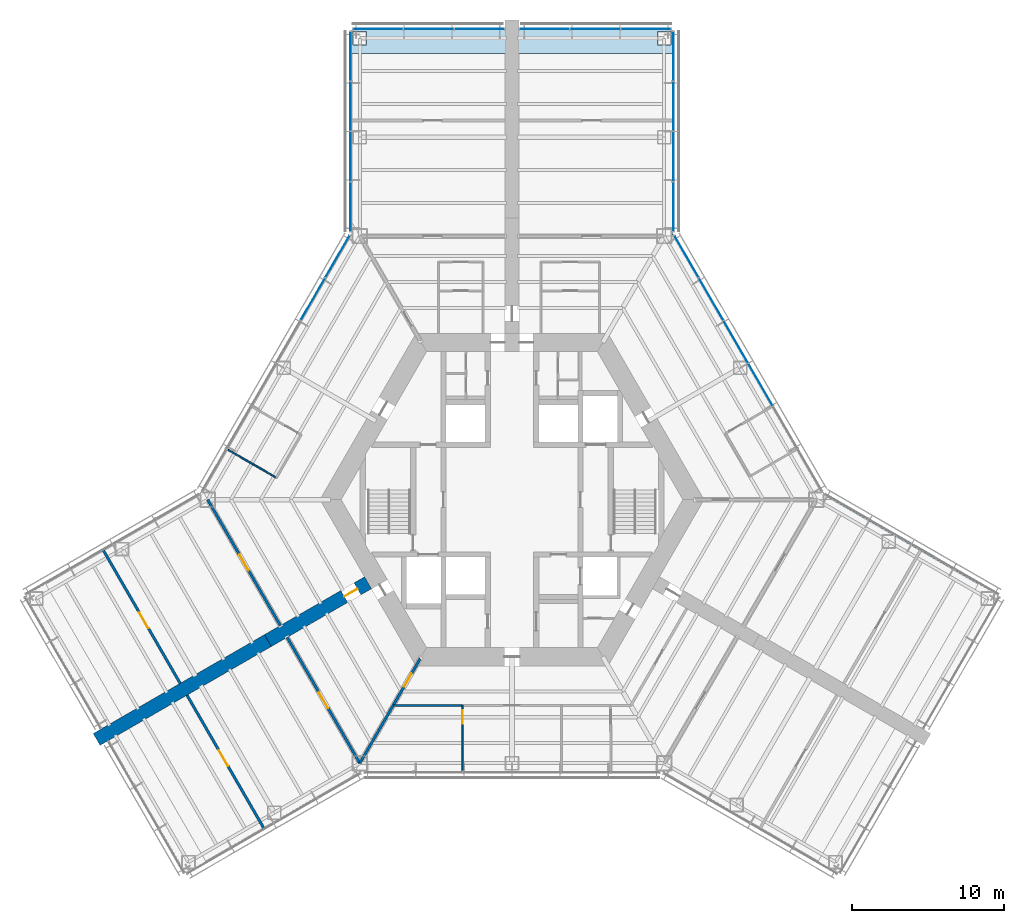
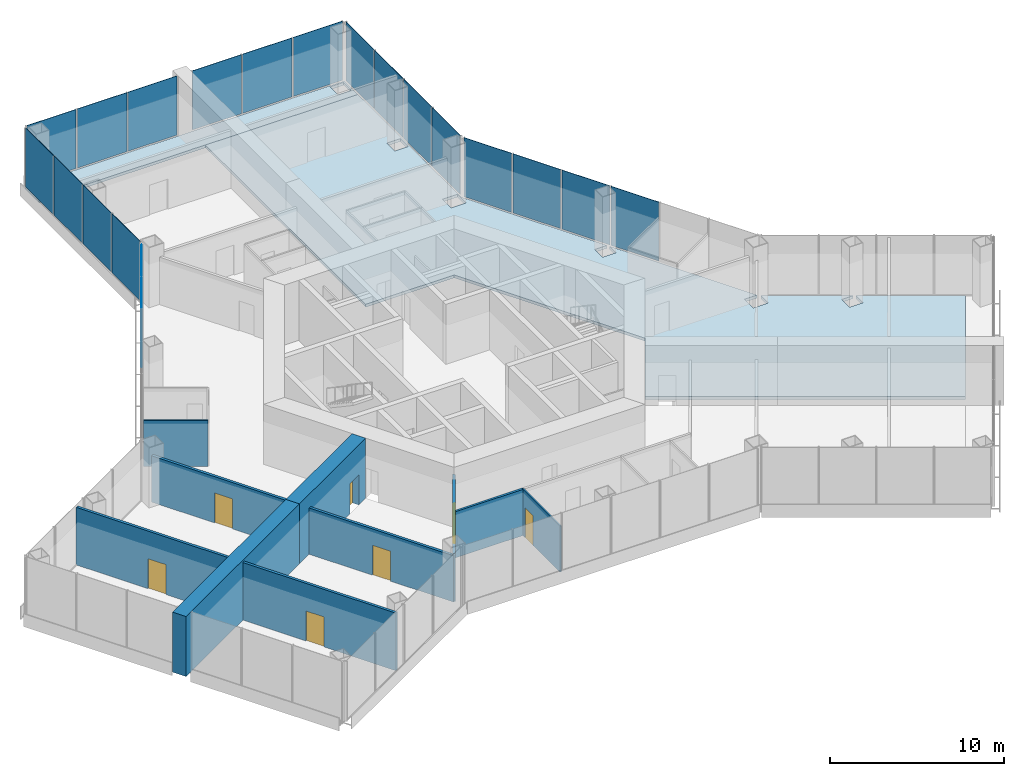
# One storey, part 10 of 16: 20 plates, 10 walls, 7 doors, 2 slabs, 7 openings, 6 elements without a shape of their own.
"""IFC4 building model written with IfcOpenShell, lengths in metres."""

from ifc_helpers import new_model, si_unit, direction, frame, frame_2d, origin, origin_2d, place, context, subcontext, project, spatial, polyline, rectangle, outline, extrude, material, layer, layer_set, type_object, element, fill, aggregate, save


model = new_model("IFC4")

# Units and contexts
model_context = context("Model", 3, precision=1e-05, world=origin(), true_north=direction((0.0, 1.0)))
body_context = subcontext(model_context, "Body", "Model", "MODEL_VIEW")
ifc_project = project(units=[si_unit("LENGTHUNIT", "METRE"), si_unit("AREAUNIT", "SQUARE_METRE"), si_unit("VOLUMEUNIT", "CUBIC_METRE"), si_unit("PLANEANGLEUNIT", "RADIAN"), si_unit("MASSUNIT", "GRAM", prefix="KILO")], contexts=[model_context])

# Site, building, storey
site_placement = place(None, origin())
site = spatial("IfcSite", under=ifc_project, at=site_placement, CompositionType="ELEMENT")
building_placement = place(site_placement, origin())
building = spatial("IfcBuilding", under=site, at=building_placement, Name="Kasaneha Research Tower", CompositionType="ELEMENT")
storey_placement = place(building_placement, frame((0.0, 0.0, 26.800048828125)))
storey = spatial("IfcBuildingStorey", under=building, at=storey_placement, Name="L07", CompositionType="ELEMENT", Elevation=26.800048828125)

# Curtain wall, plates
ifc_material_1 = material(Name="Glass and aluminium", Category="aluminium")
curtain_wall_type = type_object("IfcCurtainWallType", Name="Wet laboratory curtain wall", PredefinedType="USERDEFINED", material=ifc_material_1)
curtain_wall_1_placement = place(storey_placement, origin())
curtain_wall_1 = element("IfcCurtainWall", 1, at=curtain_wall_1_placement, inside=storey, type_object=curtain_wall_type, Name="CW-L1 L07 run 07a", ObjectType="UNITISED CURTAIN WALL", PredefinedType="USERDEFINED")
ifc_material_2 = material(Name="Laminated double glazing", Category="glass")
ifc_layer_1 = layer(ifc_material_2, 0.030029296875)
ifc_layer_set_1 = layer_set([ifc_layer_1], Name="CW-L1 glazed panel")
plate_type = type_object("IfcPlateType", Name="CW-L1 glazed panel", PredefinedType="CURTAIN_PANEL", material=ifc_layer_set_1)
plate_1_placement = place(storey_placement, frame((16.331298828125, 7.554443359375, 0.06494140625), z_axis=(0.0, 0.0, 1.0), x_axis=(-0.49999996188, 0.866025425793, 0.0)))
plate_1 = element("IfcPlate", 2, at=plate_1_placement, type_object=plate_type, Name="CW-L1 panel 3", PredefinedType="CURTAIN_PANEL", context=body_context, shape_type="SweptSolid", body=[
    extrude(rectangle(XDim=3.181396484375, YDim=0.030029296875, at=origin_2d()), origin(), (0.0, 0.0, 1.0), 4.135009765625),
])
plate_2_placement = place(storey_placement, frame((14.7080078125, 10.365966796875, 0.06494140625), z_axis=(0.0, 0.0, 1.0), x_axis=(-0.49999996188, 0.866025425793, 0.0)))
plate_2 = element("IfcPlate", 3, at=plate_2_placement, type_object=plate_type, Name="CW-L1 panel 4", PredefinedType="CURTAIN_PANEL", context=body_context, shape_type="SweptSolid", body=[
    extrude(rectangle(XDim=3.181396484375, YDim=0.030029296875, at=origin_2d()), origin(), (0.0, 0.0, 1.0), 4.135009765625),
])
plate_3_placement = place(storey_placement, frame((13.084716796875, 13.177490234375, 0.06494140625), z_axis=(0.0, 0.0, 1.0), x_axis=(-0.49999996188, 0.866025425793, 0.0)))
plate_3 = element("IfcPlate", 4, at=plate_3_placement, type_object=plate_type, Name="CW-L1 panel 5", PredefinedType="CURTAIN_PANEL", context=body_context, shape_type="SweptSolid", body=[
    extrude(rectangle(XDim=3.181396484375, YDim=0.030029296875, at=origin_2d()), origin(), (0.0, 0.0, 1.0), 4.135009765625),
])
plate_4_placement = place(storey_placement, frame((11.4697265625, 15.974853515625, 0.06494140625), z_axis=(0.0, 0.0, 1.0), x_axis=(-0.49999996188, 0.866025425793, 0.0)))
plate_4 = element("IfcPlate", 5, at=plate_4_placement, type_object=plate_type, Name="CW-L1 panel 6", PredefinedType="CURTAIN_PANEL", context=body_context, shape_type="SweptSolid", body=[
    extrude(rectangle(XDim=3.14892578125, YDim=0.030029296875, at=origin_2d()), origin(), (0.0, 0.0, 1.0), 4.135009765625),
])
aggregate(curtain_wall_1, [plate_1, plate_2, plate_3, plate_4])

curtain_wall_2_placement = place(storey_placement, origin())
curtain_wall_2 = element("IfcCurtainWall", 6, at=curtain_wall_2_placement, inside=storey, type_object=curtain_wall_type, Name="CW-L1 L07 run 08a", ObjectType="UNITISED CURTAIN WALL", PredefinedType="USERDEFINED")
plate_5_placement = place(storey_placement, frame((10.60009765625, 19.25244140625, 0.06494140625), z_axis=(0.0, 0.0, 1.0), x_axis=(0.0, 1.0, 0.0)))
plate_5 = element("IfcPlate", 7, at=plate_5_placement, type_object=plate_type, Name="CW-L1 panel 1", PredefinedType="CURTAIN_PANEL", context=body_context, shape_type="SweptSolid", body=[
    extrude(rectangle(XDim=3.21240234375, YDim=0.030029296875, at=origin_2d()), origin(), (0.0, 0.0, 1.0), 4.135009765625),
])
plate_6_placement = place(storey_placement, frame((10.60009765625, 22.5458984375, 0.06494140625), z_axis=(0.0, 0.0, 1.0), x_axis=(0.0, 1.0, 0.0)))
plate_6 = element("IfcPlate", 8, at=plate_6_placement, type_object=plate_type, Name="CW-L1 panel 2", PredefinedType="CURTAIN_PANEL", context=body_context, shape_type="SweptSolid", body=[
    extrude(rectangle(XDim=3.244873046875, YDim=0.030029296875, at=origin_2d()), origin(), (0.0, 0.0, 1.0), 4.135009765625),
])
plate_7_placement = place(storey_placement, frame((10.60009765625, 25.855712890625, 0.06494140625), z_axis=(0.0, 0.0, 1.0), x_axis=(0.0, 1.0, 0.0)))
plate_7 = element("IfcPlate", 9, at=plate_7_placement, type_object=plate_type, Name="CW-L1 panel 3", PredefinedType="CURTAIN_PANEL", context=body_context, shape_type="SweptSolid", body=[
    extrude(rectangle(XDim=3.244873046875, YDim=0.030029296875, at=origin_2d()), origin(), (0.0, 0.0, 1.0), 4.135009765625),
])
plate_8_placement = place(storey_placement, frame((10.60009765625, 29.1494140625, 0.06494140625), z_axis=(0.0, 0.0, 1.0), x_axis=(0.0, 1.0, 0.0)))
plate_8 = element("IfcPlate", 10, at=plate_8_placement, type_object=plate_type, Name="CW-L1 panel 4", PredefinedType="CURTAIN_PANEL", context=body_context, shape_type="SweptSolid", body=[
    extrude(rectangle(XDim=3.21240234375, YDim=0.030029296875, at=origin_2d()), origin(), (0.0, 0.0, 1.0), 4.135009765625),
])
aggregate(curtain_wall_2, [plate_5, plate_6, plate_7, plate_8])

curtain_wall_3_placement = place(storey_placement, origin())
curtain_wall_3 = element("IfcCurtainWall", 11, at=curtain_wall_3_placement, inside=storey, type_object=curtain_wall_type, Name="CW-L1 L07 run 09a", ObjectType="UNITISED CURTAIN WALL", PredefinedType="USERDEFINED")
plate_9_placement = place(storey_placement, frame((8.808837890625, 30.92041015625, 0.06494140625), z_axis=(0.0, 0.0, 1.0), x_axis=(-1.0, 0.0, 0.0)))
plate_9 = element("IfcPlate", 12, at=plate_9_placement, type_object=plate_type, Name="CW-L1 panel 1", PredefinedType="CURTAIN_PANEL", context=body_context, shape_type="SweptSolid", body=[
    extrude(rectangle(XDim=3.25244140625, YDim=0.030029296875, at=origin_2d()), origin(), (0.0, 0.0, 1.0), 4.135009765625),
])
plate_10_placement = place(storey_placement, frame((5.47509765625, 30.92041015625, 0.06494140625), z_axis=(0.0, 0.0, 1.0), x_axis=(-1.0, 0.0, 0.0)))
plate_10 = element("IfcPlate", 13, at=plate_10_placement, type_object=plate_type, Name="CW-L1 panel 2", PredefinedType="CURTAIN_PANEL", context=body_context, shape_type="SweptSolid", body=[
    extrude(rectangle(XDim=3.284912109375, YDim=0.030029296875, at=origin_2d()), origin(), (0.0, 0.0, 1.0), 4.135009765625),
])
plate_11_placement = place(storey_placement, frame((2.141357421875, 30.92041015625, 0.06494140625), z_axis=(0.0, 0.0, 1.0), x_axis=(-1.0, 0.0, 0.0)))
plate_11 = element("IfcPlate", 14, at=plate_11_placement, type_object=plate_type, Name="CW-L1 panel 3", PredefinedType="CURTAIN_PANEL", context=body_context, shape_type="SweptSolid", body=[
    extrude(rectangle(XDim=3.25244140625, YDim=0.030029296875, at=origin_2d()), origin(), (0.0, 0.0, 1.0), 4.135009765625),
])
aggregate(curtain_wall_3, [plate_9, plate_10, plate_11])

curtain_wall_4_placement = place(storey_placement, origin())
curtain_wall_4 = element("IfcCurtainWall", 15, at=curtain_wall_4_placement, inside=storey, type_object=curtain_wall_type, Name="CW-L1 L07 run 10a", ObjectType="UNITISED CURTAIN WALL", PredefinedType="USERDEFINED")
plate_12_placement = place(storey_placement, frame((-2.141357421875, 30.92041015625, 0.06494140625), z_axis=(0.0, 0.0, 1.0), x_axis=(-1.0, 0.0, 0.0)))
plate_12 = element("IfcPlate", 16, at=plate_12_placement, type_object=plate_type, Name="CW-L1 panel 1", PredefinedType="CURTAIN_PANEL", context=body_context, shape_type="SweptSolid", body=[
    extrude(rectangle(XDim=3.25244140625, YDim=0.030029296875, at=origin_2d()), origin(), (0.0, 0.0, 1.0), 4.135009765625),
])
plate_13_placement = place(storey_placement, frame((-5.47509765625, 30.92041015625, 0.06494140625), z_axis=(0.0, 0.0, 1.0), x_axis=(-1.0, 0.0, 0.0)))
plate_13 = element("IfcPlate", 17, at=plate_13_placement, type_object=plate_type, Name="CW-L1 panel 2", PredefinedType="CURTAIN_PANEL", context=body_context, shape_type="SweptSolid", body=[
    extrude(rectangle(XDim=3.284912109375, YDim=0.030029296875, at=origin_2d()), origin(), (0.0, 0.0, 1.0), 4.135009765625),
])
plate_14_placement = place(storey_placement, frame((-8.808837890625, 30.92041015625, 0.06494140625), z_axis=(0.0, 0.0, 1.0), x_axis=(-1.0, 0.0, 0.0)))
plate_14 = element("IfcPlate", 18, at=plate_14_placement, type_object=plate_type, Name="CW-L1 panel 3", PredefinedType="CURTAIN_PANEL", context=body_context, shape_type="SweptSolid", body=[
    extrude(rectangle(XDim=3.25244140625, YDim=0.030029296875, at=origin_2d()), origin(), (0.0, 0.0, 1.0), 4.135009765625),
])
aggregate(curtain_wall_4, [plate_12, plate_13, plate_14])

curtain_wall_5_placement = place(storey_placement, origin())
curtain_wall_5 = element("IfcCurtainWall", 19, at=curtain_wall_5_placement, inside=storey, type_object=curtain_wall_type, Name="CW-L1 L07 run 11a", ObjectType="UNITISED CURTAIN WALL", PredefinedType="USERDEFINED")
plate_15_placement = place(storey_placement, frame((-10.60009765625, 29.1494140625, 0.06494140625), z_axis=(0.0, 0.0, 1.0), x_axis=(0.0, -1.0, 0.0)))
plate_15 = element("IfcPlate", 20, at=plate_15_placement, type_object=plate_type, Name="CW-L1 panel 1", PredefinedType="CURTAIN_PANEL", context=body_context, shape_type="SweptSolid", body=[
    extrude(rectangle(XDim=3.21240234375, YDim=0.030029296875, at=origin_2d()), origin(), (0.0, 0.0, 1.0), 4.135009765625),
])
plate_16_placement = place(storey_placement, frame((-10.60009765625, 25.855712890625, 0.06494140625), z_axis=(0.0, 0.0, 1.0), x_axis=(0.0, -1.0, 0.0)))
plate_16 = element("IfcPlate", 21, at=plate_16_placement, type_object=plate_type, Name="CW-L1 panel 2", PredefinedType="CURTAIN_PANEL", context=body_context, shape_type="SweptSolid", body=[
    extrude(rectangle(XDim=3.244873046875, YDim=0.030029296875, at=origin_2d()), origin(), (0.0, 0.0, 1.0), 4.135009765625),
])
plate_17_placement = place(storey_placement, frame((-10.60009765625, 22.5458984375, 0.06494140625), z_axis=(0.0, 0.0, 1.0), x_axis=(0.0, -1.0, 0.0)))
plate_17 = element("IfcPlate", 22, at=plate_17_placement, type_object=plate_type, Name="CW-L1 panel 3", PredefinedType="CURTAIN_PANEL", context=body_context, shape_type="SweptSolid", body=[
    extrude(rectangle(XDim=3.244873046875, YDim=0.030029296875, at=origin_2d()), origin(), (0.0, 0.0, 1.0), 4.135009765625),
])
plate_18_placement = place(storey_placement, frame((-10.60009765625, 19.25244140625, 0.06494140625), z_axis=(0.0, 0.0, 1.0), x_axis=(0.0, -1.0, 0.0)))
plate_18 = element("IfcPlate", 23, at=plate_18_placement, type_object=plate_type, Name="CW-L1 panel 4", PredefinedType="CURTAIN_PANEL", context=body_context, shape_type="SweptSolid", body=[
    extrude(rectangle(XDim=3.21240234375, YDim=0.030029296875, at=origin_2d()), origin(), (0.0, 0.0, 1.0), 4.135009765625),
])
aggregate(curtain_wall_5, [plate_15, plate_16, plate_17, plate_18])

curtain_wall_6_placement = place(storey_placement, origin())
curtain_wall_6 = element("IfcCurtainWall", 24, at=curtain_wall_6_placement, inside=storey, type_object=curtain_wall_type, Name="CW-L1 L07 run 12a", ObjectType="UNITISED CURTAIN WALL", PredefinedType="USERDEFINED")
plate_19_placement = place(storey_placement, frame((-11.4697265625, 15.974853515625, 0.06494140625), z_axis=(0.0, 0.0, 1.0), x_axis=(-0.49999996188, -0.866025425793, 0.0)))
plate_19 = element("IfcPlate", 25, at=plate_19_placement, type_object=plate_type, Name="CW-L1 panel 1", PredefinedType="CURTAIN_PANEL", context=body_context, shape_type="SweptSolid", body=[
    extrude(rectangle(XDim=3.14892578125, YDim=0.030029296875, at=origin_2d()), origin(), (0.0, 0.0, 1.0), 4.135009765625),
])
plate_20_placement = place(storey_placement, frame((-13.084716796875, 13.177490234375, 0.06494140625), z_axis=(0.0, 0.0, 1.0), x_axis=(-0.49999996188, -0.866025425793, 0.0)))
plate_20 = element("IfcPlate", 26, at=plate_20_placement, type_object=plate_type, Name="CW-L1 panel 2", PredefinedType="CURTAIN_PANEL", context=body_context, shape_type="SweptSolid", body=[
    extrude(rectangle(XDim=3.181396484375, YDim=0.030029296875, at=origin_2d()), origin(), (0.0, 0.0, 1.0), 4.135009765625),
])
aggregate(curtain_wall_6, [plate_19, plate_20])

# Slabs
ifc_material_3 = material(Name="Concrete Fc24", Category="concrete")
ifc_layer_2 = layer(ifc_material_3, 0.199951171875)
ifc_layer_set_2 = layer_set([ifc_layer_2], Name="Floor slab 200")
slab_type = type_object("IfcSlabType", Name="Floor slab 200", PredefinedType="FLOOR", material=ifc_layer_set_2)
slab_1_placement = place(storey_placement, frame((0.0, 0.0, -0.199951171875)))
element("IfcSlab", 27, at=slab_1_placement, inside=storey, type_object=slab_type, Name="Floor slab L07 3", PredefinedType="FLOOR", context=body_context, shape_type="SweptSolid", body=[
    extrude(outline(polyline([(10.550048828125, 29.310546875), (0.449951171875, 29.310546875), (0.449951171875, 29.320556640625), (-0.449951171875, 29.320556640625), (-0.449951171875, 29.310546875), (-10.550048828125, 29.310546875), (-10.550048828125, 30.87060546875), (10.550048828125, 30.87060546875), (10.550048828125, 29.310546875)]), holes=[polyline([(-9.550048828125, 29.87060546875), (-9.550048828125, 30.7705078125), (-10.449951171875, 30.7705078125), (-10.449951171875, 29.87060546875), (-9.550048828125, 29.87060546875)]), polyline([(9.550048828125, 29.87060546875), (10.449951171875, 29.87060546875), (10.449951171875, 30.7705078125), (9.550048828125, 30.7705078125), (9.550048828125, 29.87060546875)])]), origin(), (0.0, 0.0, 1.0), 0.199951171875),
])
slab_2_placement = place(storey_placement, frame((0.0, 0.0, -0.199951171875)))
element("IfcSlab", 28, at=slab_2_placement, inside=storey, type_object=slab_type, Name="Floor slab L07 5", PredefinedType="FLOOR", context=body_context, shape_type="SweptSolid", body=[
    extrude(outline(polyline([(9.686279296875, -5.07275390625), (12.614990234375, 0.0), (6.3076171875, 10.925048828125), (0.449951171875, 10.925048828125), (0.449951171875, 29.310546875), (10.550048828125, 29.310546875), (10.550048828125, 17.4677734375), (15.375244140625, 9.1103515625), (14.550048828125, 9.1103515625), (14.550048828125, 8.210205078125), (15.449951171875, 8.210205078125), (15.449951171875, 8.980712890625), (20.346435546875, 0.5), (19.5, 0.5), (19.5, -0.5), (20.5, -0.5), (20.5, 0.346435546875), (25.083740234375, -2.300048828125), (24.313232421875, -2.300048828125), (24.313232421875, -3.199951171875), (25.213134765625, -3.199951171875), (25.213134765625, -2.374755859375), (30.65869140625, -5.518798828125), (25.608642578125, -14.265625), (9.686279296875, -5.07275390625)]), holes=[polyline([(9.5, 16.820556640625), (10.5, 16.820556640625), (10.5, 17.820556640625), (9.5, 17.820556640625), (9.5, 16.820556640625)]), polyline([(9.550048828125, 23.37060546875), (10.449951171875, 23.37060546875), (10.449951171875, 24.2705078125), (9.550048828125, 24.2705078125), (9.550048828125, 23.37060546875)])]), origin(), (0.0, 0.0, 1.0), 0.199951171875),
])

# Wall, opening, door
ifc_material_4 = material(Name="Gypsum board on steel studs, two layers each side", Category="steel")
ifc_layer_3 = layer(ifc_material_4, 0.175048828125)
ifc_layer_set_3 = layer_set([ifc_layer_3], Name="Laboratory fire partition 175")
wall_type_1 = type_object("IfcWallType", Name="Laboratory fire partition 175", PredefinedType="PARTITIONING", material=ifc_layer_set_3)
wall_1_placement = place(storey_placement, frame((-15.22509765625, -8.2705078125, 0.0), z_axis=(0.0, 0.0, 1.0), x_axis=(-0.499993908199, 0.866028920859, 0.0)))
wall_1 = element("IfcWall", 29, at=wall_1_placement, inside=storey, type_object=wall_type_1, Name="Laboratory fire partition LABB-N L07", PredefinedType="PARTITIONING", context=body_context, shape_type="SweptSolid", body=[
    extrude(rectangle(XDim=9.5498046875, YDim=0.175048828125, at=frame_2d((4.77490234375, 0.0))), origin(), (0.0, 0.0, 1.0), 3.238037109375),
])
opening_1_placement = place(wall_1_placement, frame((4.175048828125, 0.0, 0.0)))
opening_1 = element("IfcOpeningElement", 30, at=opening_1_placement, cuts=wall_1, Name="Opening L07-D37", PredefinedType="OPENING", context=body_context, shape_type="SweptSolid", body=[
    extrude(rectangle(XDim=1.199951171875, YDim=2.10009765625, at=frame_2d((0.60009765625, 1.050048828125))), frame((0.0, 0.09765625, 0.0), z_axis=(0.0, -1.0, 0.0), x_axis=(1.0, 0.0, 0.0)), (0.0, 0.0, 1.0), 0.195068359375),
])
ifc_material_5 = material(Name="Steel", Category="steel")
door_type_1 = type_object("IfcDoorType", Name="Laboratory door FD60 1200x2100", OperationType="DOUBLE_DOOR_SINGLE_SWING", PredefinedType="DOOR", material=ifc_material_5)
door_1_placement = place(opening_1_placement, origin())
door_1 = element("IfcDoor", 31, at=door_1_placement, inside=storey, type_object=door_type_1, Name="Laboratory door L07-D37", OperationType="DOUBLE_DOOR_SINGLE_SWING", OverallHeight=2.10009765625, OverallWidth=1.199951171875, PredefinedType="DOOR", context=body_context, shape_type="SweptSolid", body=[
    extrude(rectangle(XDim=1.199951171875, YDim=2.10009765625, at=frame_2d((0.60009765625, 1.050048828125))), frame((0.0, 0.02490234375, 0.0), z_axis=(0.0, -1.0, 0.0), x_axis=(1.0, 0.0, 0.0)), (0.0, 0.0, 1.0), 0.050048828125),
])
fill(opening_1, door_1)

wall_2_placement = place(storey_placement, frame((-21.806884765625, -12.070556640625, 0.0), z_axis=(0.0, 0.0, 1.0), x_axis=(-0.499994227129, 0.866028736727, 0.0)))
wall_2 = element("IfcWall", 32, at=wall_2_placement, inside=storey, type_object=wall_type_1, Name="Laboratory fire partition SUPB-N L07", PredefinedType="PARTITIONING", context=body_context, shape_type="SweptSolid", body=[
    extrude(rectangle(XDim=10.134765625, YDim=0.175048828125, at=frame_2d((5.0673828125, 0.0))), origin(), (0.0, 0.0, 1.0), 4.030029296875),
])
opening_2_placement = place(wall_2_placement, frame((4.175048828125, 0.0, 0.0)))
opening_2 = element("IfcOpeningElement", 33, at=opening_2_placement, cuts=wall_2, Name="Opening L07-D39", PredefinedType="OPENING", context=body_context, shape_type="SweptSolid", body=[
    extrude(rectangle(XDim=1.199951171875, YDim=2.10009765625, at=frame_2d((0.60009765625, 1.050048828125))), frame((0.0, 0.09765625, 0.0), z_axis=(0.0, -1.0, 0.0), x_axis=(1.0, 0.0, 0.0)), (0.0, 0.0, 1.0), 0.195068359375),
])
door_2_placement = place(opening_2_placement, origin())
door_2 = element("IfcDoor", 34, at=door_2_placement, inside=storey, type_object=door_type_1, Name="Laboratory support room door L07-D39", OperationType="DOUBLE_DOOR_SINGLE_SWING", OverallHeight=2.10009765625, OverallWidth=1.199951171875, PredefinedType="DOOR", context=body_context, shape_type="SweptSolid", body=[
    extrude(rectangle(XDim=1.199951171875, YDim=2.10009765625, at=frame_2d((0.60009765625, 1.050048828125))), frame((0.0, 0.02490234375, 0.0), z_axis=(0.0, -1.0, 0.0), x_axis=(1.0, 0.0, 0.0)), (0.0, 0.0, 1.0), 0.050048828125),
])
fill(opening_2, door_2)

wall_3_placement = place(storey_placement, frame((-14.77490234375, -9.050048828125, 0.0), z_axis=(0.0, 0.0, 1.0), x_axis=(0.499993908199, -0.866028920859, 0.0)))
wall_3 = element("IfcWall", 35, at=wall_3_placement, inside=storey, type_object=wall_type_1, Name="Laboratory fire partition LABB-S L07", PredefinedType="PARTITIONING", context=body_context, shape_type="SweptSolid", body=[
    extrude(rectangle(XDim=9.5498046875, YDim=0.175048828125, at=frame_2d((4.77490234375, 0.0))), origin(), (0.0, 0.0, 1.0), 3.238037109375),
])
opening_3_placement = place(wall_3_placement, frame((4.175048828125, 0.0, 0.0)))
opening_3 = element("IfcOpeningElement", 36, at=opening_3_placement, cuts=wall_3, Name="Opening L07-D40", PredefinedType="OPENING", context=body_context, shape_type="SweptSolid", body=[
    extrude(rectangle(XDim=1.199951171875, YDim=2.10009765625, at=frame_2d((0.60009765625, 1.050048828125))), frame((0.0, 0.09765625, 0.0), z_axis=(0.0, -1.0, 0.0), x_axis=(1.0, 0.0, 0.0)), (0.0, 0.0, 1.0), 0.195068359375),
])
door_3_placement = place(opening_3_placement, origin())
door_3 = element("IfcDoor", 37, at=door_3_placement, inside=storey, type_object=door_type_1, Name="Laboratory door L07-D40", OperationType="DOUBLE_DOOR_SINGLE_SWING", OverallHeight=2.10009765625, OverallWidth=1.199951171875, PredefinedType="DOOR", context=body_context, shape_type="SweptSolid", body=[
    extrude(rectangle(XDim=1.199951171875, YDim=2.10009765625, at=frame_2d((0.60009765625, 1.050048828125))), frame((0.0, 0.02490234375, 0.0), z_axis=(0.0, -1.0, 0.0), x_axis=(1.0, 0.0, 0.0)), (0.0, 0.0, 1.0), 0.050048828125),
])
fill(opening_3, door_3)

wall_4_placement = place(storey_placement, frame((-21.356689453125, -12.849853515625, 0.0), z_axis=(0.0, 0.0, 1.0), x_axis=(0.499987145745, -0.866032825065, 0.0)))
wall_4 = element("IfcWall", 38, at=wall_4_placement, inside=storey, type_object=wall_type_1, Name="Laboratory fire partition SUPB-S L07", PredefinedType="PARTITIONING", context=body_context, shape_type="SweptSolid", body=[
    extrude(rectangle(XDim=10.139892578125, YDim=0.175048828125, at=frame_2d((5.06982421875, 0.0))), origin(), (0.0, 0.0, 1.0), 4.030029296875),
])
opening_4_placement = place(wall_4_placement, frame((4.175048828125, 0.0, 0.0)))
opening_4 = element("IfcOpeningElement", 39, at=opening_4_placement, cuts=wall_4, Name="Opening L07-D41", PredefinedType="OPENING", context=body_context, shape_type="SweptSolid", body=[
    extrude(rectangle(XDim=1.199951171875, YDim=2.10009765625, at=frame_2d((0.60009765625, 1.050048828125))), frame((0.0, 0.09765625, 0.0), z_axis=(0.0, -1.0, 0.0), x_axis=(1.0, 0.0, 0.0)), (0.0, 0.0, 1.0), 0.195068359375),
])
door_4_placement = place(opening_4_placement, origin())
door_4 = element("IfcDoor", 40, at=door_4_placement, inside=storey, type_object=door_type_1, Name="Laboratory support room door L07-D41", OperationType="DOUBLE_DOOR_SINGLE_SWING", OverallHeight=2.10009765625, OverallWidth=1.199951171875, PredefinedType="DOOR", context=body_context, shape_type="SweptSolid", body=[
    extrude(rectangle(XDim=1.199951171875, YDim=2.10009765625, at=frame_2d((0.60009765625, 1.050048828125))), frame((0.0, 0.02490234375, 0.0), z_axis=(0.0, -1.0, 0.0), x_axis=(1.0, 0.0, 0.0)), (0.0, 0.0, 1.0), 0.050048828125),
])
fill(opening_4, door_4)

# Wall
ifc_material_6 = material(Name="Gypsum board on steel studs, one layer each side", Category="steel")
ifc_layer_4 = layer(ifc_material_6, 0.10009765625)
ifc_layer_set_4 = layer_set([ifc_layer_4], Name="Office partition 100")
wall_type_2 = type_object("IfcWallType", Name="Office partition 100", PredefinedType="PARTITIONING", material=ifc_layer_set_4)
wall_5_placement = place(storey_placement, frame((-15.47509765625, 1.437255859375, 0.0), z_axis=(0.0, 0.0, 1.0), x_axis=(-0.866017659399, 0.500013413428, 0.0)))
element("IfcWall", 41, at=wall_5_placement, inside=storey, type_object=wall_type_2, Name="Office partition FBN02 L07", PredefinedType="PARTITIONING", context=body_context, shape_type="SweptSolid", body=[
    extrude(rectangle(XDim=3.68017578125, YDim=0.10009765625, at=frame_2d((1.840087890625, 0.0))), origin(), (0.0, 0.0, 1.0), 3.22998046875),
])

# Wall, opening, door
wall_6_placement = place(storey_placement, frame((-3.2509765625, -13.52490234375, 0.0), z_axis=(0.0, 0.0, 1.0), x_axis=(0.001076120809, -0.999999420982, 0.0)))
wall_6 = element("IfcWall", 42, at=wall_6_placement, inside=storey, type_object=wall_type_2, Name="Office partition FCS06 L07", PredefinedType="PARTITIONING", context=body_context, shape_type="SweptSolid", body=[
    extrude(rectangle(XDim=4.310546875, YDim=0.10009765625, at=frame_2d((2.1552734375, 0.0))), origin(), (0.0, 0.0, 1.0), 3.22998046875),
])
opening_5_placement = place(wall_6_placement, frame((0.300048828125, 0.0, 0.0)))
opening_5 = element("IfcOpeningElement", 43, at=opening_5_placement, cuts=wall_6, Name="Opening L07-D47", PredefinedType="OPENING", context=body_context, shape_type="SweptSolid", body=[
    extrude(rectangle(XDim=0.89990234375, YDim=2.10009765625, at=frame_2d((0.449951171875, 1.050048828125))), frame((0.0, 0.06005859375, 0.0), z_axis=(0.0, -1.0, 0.0), x_axis=(1.0, 0.0, 0.0)), (0.0, 0.0, 1.0), 0.1201171875),
])
ifc_material_7 = material(Name="Timber veneer", Category="wood")
door_type_2 = type_object("IfcDoorType", Name="Office door 900x2100", OperationType="SINGLE_SWING_LEFT", PredefinedType="DOOR", material=ifc_material_7)
door_5_placement = place(opening_5_placement, origin())
door_5 = element("IfcDoor", 44, at=door_5_placement, inside=storey, type_object=door_type_2, Name="Principal investigator office door L07-D47", OperationType="SINGLE_SWING_LEFT", OverallHeight=2.10009765625, OverallWidth=0.89990234375, PredefinedType="DOOR", context=body_context, shape_type="SweptSolid", body=[
    extrude(rectangle(XDim=0.89990234375, YDim=2.10009765625, at=frame_2d((0.449951171875, 1.050048828125))), frame((0.0, 0.02490234375, 0.0), z_axis=(0.0, -1.0, 0.0), x_axis=(1.0, 0.0, 0.0)), (0.0, 0.0, 1.0), 0.050048828125),
])
fill(opening_5, door_5)

ifc_material_8 = material(Name="Concrete Fc100", Category="concrete")
ifc_layer_5 = layer(ifc_material_8, 0.89990234375)
ifc_layer_set_5 = layer_set([ifc_layer_5], Name="Spine wall 900 Fc100")
wall_type_3 = type_object("IfcWallType", Name="Spine wall 900 Fc100", PredefinedType="SHEAR", material=ifc_layer_set_5)
wall_7_placement = place(storey_placement, frame((-9.46142578125, -5.46240234375, 0.0), z_axis=(0.0, 0.0, 1.0), x_axis=(-0.866019116917, -0.500010889016, 0.0)))
wall_7 = element("IfcWall", 45, at=wall_7_placement, inside=storey, type_object=wall_type_3, Name="Spine wall B L07", PredefinedType="SHEAR", context=body_context, shape_type="SweptSolid", body=[
    extrude(rectangle(XDim=7.595458984375, YDim=0.89990234375, at=frame_2d((3.7978515625, 0.0))), origin(), (0.0, 0.0, 1.0), 4.199951171875),
])
opening_6_placement = place(wall_7_placement, frame((0.800048828125, 0.0, 0.0)))
opening_6 = element("IfcOpeningElement", 46, at=opening_6_placement, cuts=wall_7, Name="Opening L07-D18", PredefinedType="OPENING", context=body_context, shape_type="SweptSolid", body=[
    extrude(rectangle(XDim=1.0, YDim=2.10009765625, at=frame_2d((0.5, 1.050048828125))), frame((0.0, 0.4599609375, 0.0), z_axis=(0.0, -1.0, 0.0), x_axis=(1.0, 0.0, 0.0)), (0.0, 0.0, 1.0), 0.919921875),
])
ifc_material_9 = material(Name="Steel", Category="steel")
door_type_3 = type_object("IfcDoorType", Name="Specified fire door FD60 1000x2100", OperationType="NOTDEFINED", PredefinedType="DOOR", material=ifc_material_9)
door_6_placement = place(opening_6_placement, origin())
door_6 = element("IfcDoor", 47, at=door_6_placement, inside=storey, type_object=door_type_3, Name="Spine doorway B L07-D18", OperationType="SINGLE_SWING_LEFT", OverallHeight=2.10009765625, OverallWidth=1.0, PredefinedType="DOOR", context=body_context, shape_type="SweptSolid", body=[
    extrude(rectangle(XDim=1.0, YDim=2.10009765625, at=frame_2d((0.5, 1.050048828125))), frame((0.0, 0.02490234375, 0.0), z_axis=(0.0, -1.0, 0.0), x_axis=(1.0, 0.0, 0.0)), (0.0, 0.0, 1.0), 0.050048828125),
])
fill(opening_6, door_6)

# Walls
wall_8_placement = place(storey_placement, frame((-16.039306640625, -9.26025390625, 0.0), z_axis=(0.0, 0.0, 1.0), x_axis=(-0.866024837091, -0.50000098154, 0.0)))
element("IfcWall", 48, at=wall_8_placement, inside=storey, type_object=wall_type_3, Name="Spine wall B wing L07", PredefinedType="SHEAR", context=body_context, shape_type="SweptSolid", body=[
    extrude(rectangle(XDim=13.0, YDim=0.89990234375, at=frame_2d((6.5, 0.0))), origin(), (0.0, 0.0, 1.0), 4.199951171875),
])
ifc_material_10 = material(Name="Gypsum board on steel studs, two layers each side", Category="steel")
ifc_layer_6 = layer(ifc_material_10, 0.14990234375)
ifc_layer_set_6 = layer_set([ifc_layer_6], Name="Suite partition 150")
wall_type_4 = type_object("IfcWallType", Name="Suite partition 150", PredefinedType="PARTITIONING", material=ifc_layer_set_6)
wall_9_placement = place(storey_placement, frame((-3.241455078125, -13.52490234375, 0.0), z_axis=(0.0, 0.0, 1.0), x_axis=(-1.0, 0.0, 0.0)))
element("IfcWall", 49, at=wall_9_placement, inside=storey, type_object=wall_type_4, Name="Suite partition FCS01 L07", PredefinedType="PARTITIONING", context=body_context, shape_type="SweptSolid", body=[
    extrude(rectangle(XDim=4.544189453125, YDim=0.14990234375, at=frame_2d((2.27197265625, 0.0))), origin(), (0.0, 0.0, 1.0), 3.22998046875),
])

# Wall, opening, door
ifc_material_11 = material(Name="Gypsum board on steel studs, two layers each side", Category="steel")
ifc_layer_7 = layer(ifc_material_11, 0.175048828125)
ifc_layer_set_7 = layer_set([ifc_layer_7], Name="Tenancy fire partition 175")
wall_type_5 = type_object("IfcWallType", Name="Tenancy fire partition 175", PredefinedType="PARTITIONING", material=ifc_layer_set_7)
wall_10_placement = place(storey_placement, frame((-6.03515625, -10.453125, 0.0), z_axis=(0.0, 0.0, 1.0), x_axis=(-0.499993402427, -0.866029212861, 0.0)))
wall_10 = element("IfcWall", 50, at=wall_10_placement, inside=storey, type_object=wall_type_5, Name="Tenancy fire partition T240 L07", PredefinedType="PARTITIONING", context=body_context, shape_type="SweptSolid", body=[
    extrude(outline(polyline([(-0.050537109375, -0.08740234375), (1.12939453125, -0.08740234375), (2.12939453125, -0.08740234375), (7.9296875, -0.08740234375), (7.9296875, 0.08740234375), (2.12939453125, 0.08740234375), (1.12939453125, 0.08740234375), (0.050537109375, 0.08740234375), (-0.050537109375, -0.08740234375)])), origin(), (0.0, 0.0, 1.0), 3.329833984375),
])
opening_7_placement = place(wall_10_placement, frame((1.12939453125, 0.0, 0.0)))
opening_7 = element("IfcOpeningElement", 51, at=opening_7_placement, cuts=wall_10, Name="Opening L07-D27", PredefinedType="OPENING", context=body_context, shape_type="SweptSolid", body=[
    extrude(rectangle(XDim=1.0, YDim=2.10009765625, at=frame_2d((0.5, 1.050048828125))), frame((0.0, 0.09765625, 0.0), z_axis=(0.0, -1.0, 0.0), x_axis=(1.0, 0.0, 0.0)), (0.0, 0.0, 1.0), 0.195068359375),
])
ifc_material_12 = material(Name="Steel", Category="steel")
door_type_4 = type_object("IfcDoorType", Name="Suite entrance door FD60 1000x2100", OperationType="NOTDEFINED", PredefinedType="DOOR", material=ifc_material_12)
door_7_placement = place(opening_7_placement, origin())
door_7 = element("IfcDoor", 52, at=door_7_placement, inside=storey, type_object=door_type_4, Name="Connecting door L07-D27", OperationType="SINGLE_SWING_LEFT", OverallHeight=2.10009765625, OverallWidth=1.0, PredefinedType="DOOR", context=body_context, shape_type="SweptSolid", body=[
    extrude(rectangle(XDim=1.0, YDim=2.10009765625, at=frame_2d((0.5, 1.050048828125))), frame((0.0, 0.02490234375, 0.0), z_axis=(0.0, -1.0, 0.0), x_axis=(1.0, 0.0, 0.0)), (0.0, 0.0, 1.0), 0.050048828125),
])
fill(opening_7, door_7)

save(model, "model.ifc")
